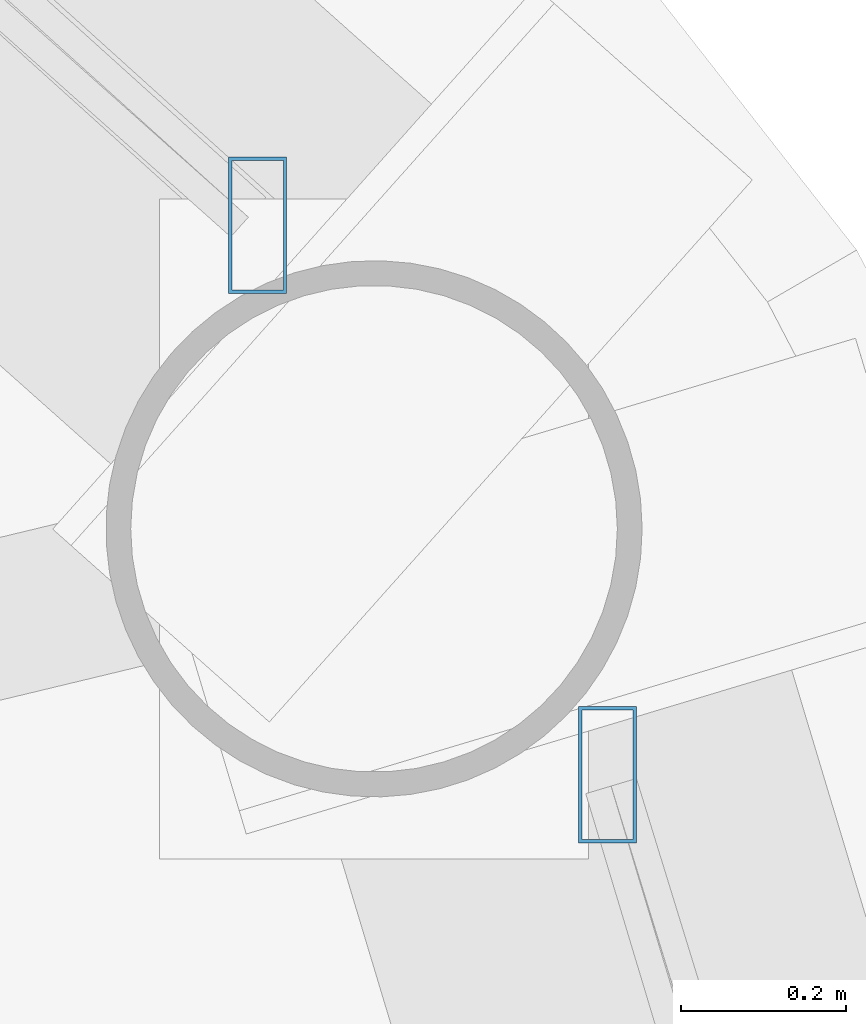
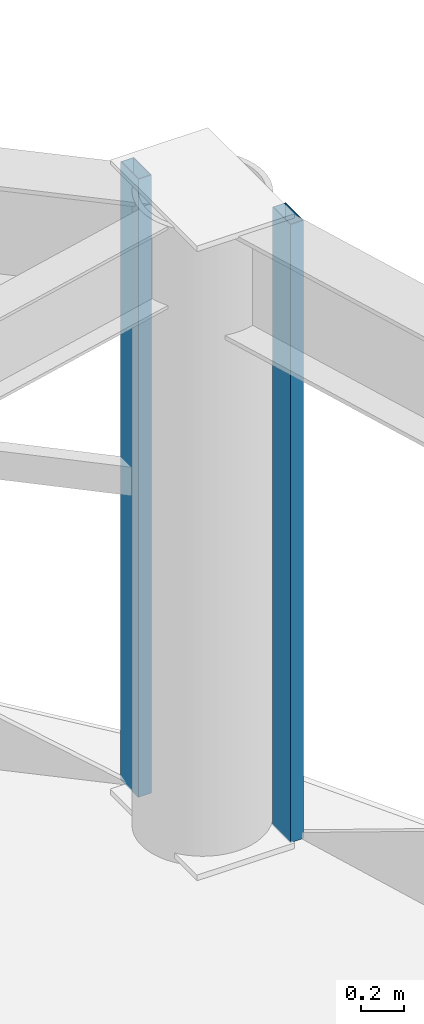
# One storey, part 15 of 28: 2 members, 2 elements without a shape of their own.
"""IFC4 building model written with IfcOpenShell, lengths in metres."""

from ifc_helpers import new_model, si_unit, direction, frame, origin, origin_2d, place, context, subcontext, project, spatial, hollow_rectangle, extrude, material, layer, layer_set, material_profile, profile_set, type_object, element, aggregate, save


model = new_model("IFC4")

# Units and contexts
model_context = context("Model", 3, precision=1e-05, world=origin(), true_north=direction((0.0, 1.0)))
body_context = subcontext(model_context, "Body", "Model", "MODEL_VIEW")
ifc_project = project(units=[si_unit("LENGTHUNIT", "METRE"), si_unit("AREAUNIT", "SQUARE_METRE"), si_unit("VOLUMEUNIT", "CUBIC_METRE"), si_unit("PLANEANGLEUNIT", "RADIAN"), si_unit("MASSUNIT", "GRAM", prefix="KILO")], contexts=[model_context])

# Site, building, storey
site_placement = place(None, origin())
site = spatial("IfcSite", under=ifc_project, at=site_placement, CompositionType="ELEMENT")
building_placement = place(site_placement, origin())
building = spatial("IfcBuilding", under=site, at=building_placement, Name="Vantalir Tower", CompositionType="ELEMENT")
storey_placement = place(building_placement, frame((0.0, 0.0, 242.39990234375)))
storey = spatial("IfcBuildingStorey", under=building, at=storey_placement, Name="L61", CompositionType="ELEMENT", Elevation=242.39990234375)

# Curtain wall, member
ifc_material_1 = material(Name="Champagne-silver PVDF aluminium and double-silver Low-E glass", Category="aluminium")
ifc_layer = layer(ifc_material_1, 0.2099609375)
ifc_layer_set = layer_set([ifc_layer], Name="Champagne-silver PVDF aluminium and double-silver Low-E glass")
curtain_wall_type = type_object("IfcCurtainWallType", Name="CW-DIAMOND-Z3", PredefinedType="USERDEFINED", material=ifc_layer_set)
curtain_wall_1_placement = place(storey_placement, origin())
curtain_wall_1 = element("IfcCurtainWall", 1, at=curtain_wall_1_placement, inside=storey, type_object=curtain_wall_type, Name="L61 Quilted Pyramid-Diamond Curtain Wall S01", ObjectType="UNITISED CURTAIN WALL", PredefinedType="USERDEFINED")
ifc_material_2 = material(Name="Champagne-silver PVDF aluminium 6063-T6", Category="aluminium")
ifc_material_profile = material_profile(ifc_material_2, hollow_rectangle(XDim=0.070068359375, YDim=0.1650390625, WallThickness=0.00390625, at=origin_2d()), Name="Champagne-silver PVDF aluminium 6063-T6")
ifc_profile_set = profile_set([ifc_material_profile], Name="Champagne-silver PVDF aluminium 6063-T6")
member_type = type_object("IfcMemberType", Name="CWM-165x70", PredefinedType="MULLION", material=ifc_profile_set)
member_1_placement = place(storey_placement, frame((50.591064453125, 34.367919921875, 0.045166015625), z_axis=(0.0, 0.0, 1.0), x_axis=(1.0, 0.0, 0.0)))
member_1 = element("IfcMember", 2, at=member_1_placement, type_object=member_type, Name="CW-L61-S01 Mullion 2", PredefinedType="MULLION", context=body_context, shape_type="SweptSolid", body=[
    extrude(hollow_rectangle(XDim=0.070068359375, YDim=0.1650390625, WallThickness=0.00390625, at=origin_2d()), origin(), (0.0, 0.0, 1.0), 3.47998046875),
])
aggregate(curtain_wall_1, [member_1])

curtain_wall_2_placement = place(storey_placement, origin())
curtain_wall_2 = element("IfcCurtainWall", 3, at=curtain_wall_2_placement, inside=storey, type_object=curtain_wall_type, Name="L61 Quilted Pyramid-Diamond Curtain Wall S02", ObjectType="UNITISED CURTAIN WALL", PredefinedType="USERDEFINED")
member_2_placement = place(storey_placement, frame((50.1669921875, 35.033935546875, 0.045166015625), z_axis=(0.0, 0.0, 1.0), x_axis=(1.0, 0.0, 0.0)))
member_2 = element("IfcMember", 4, at=member_2_placement, type_object=member_type, Name="CW-L61-S02 Mullion 1", PredefinedType="MULLION", context=body_context, shape_type="SweptSolid", body=[
    extrude(hollow_rectangle(XDim=0.070068359375, YDim=0.1650390625, WallThickness=0.00390625, at=origin_2d()), origin(), (0.0, 0.0, 1.0), 3.47998046875),
])
aggregate(curtain_wall_2, [member_2])

save(model, "model.ifc")
